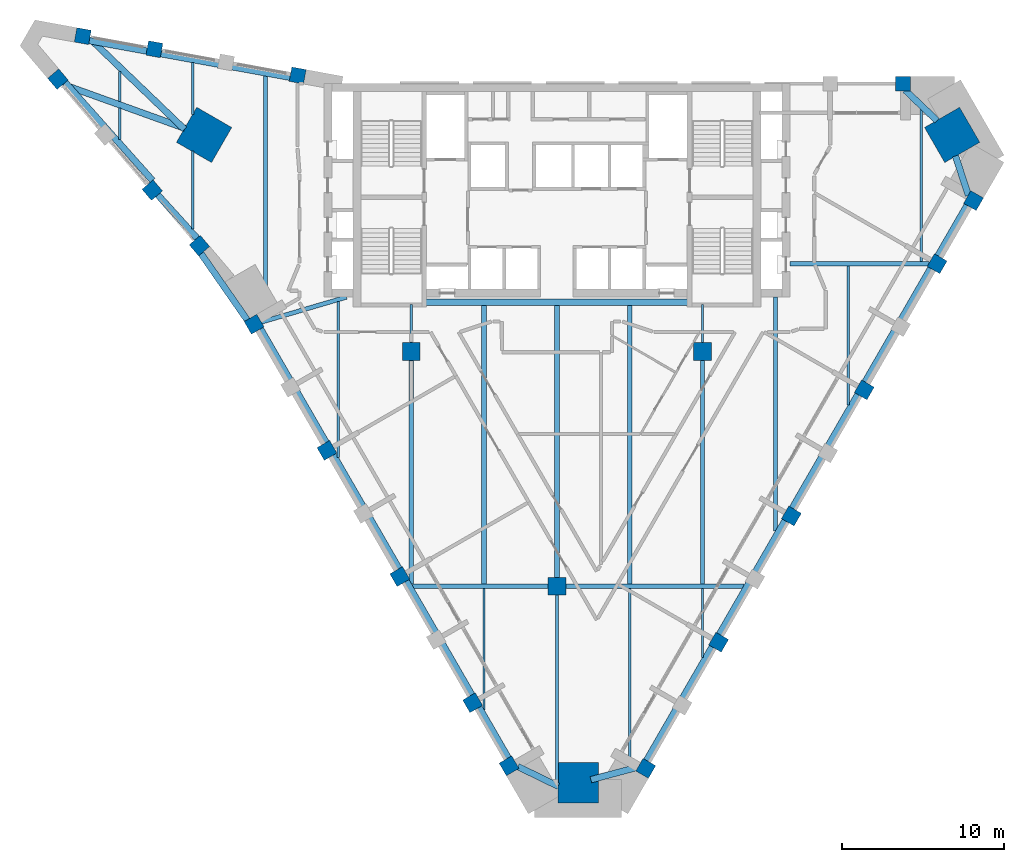
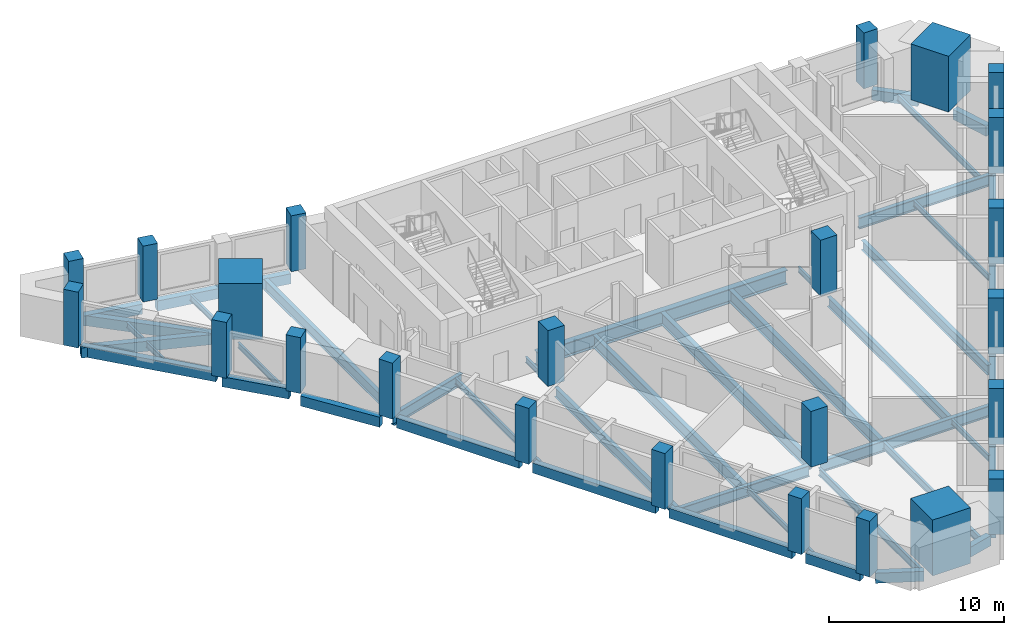
# One storey, part 1 of 9: 45 beams, 24 columns.
"""IFC4 building model written with IfcOpenShell, lengths in metres."""

from ifc_helpers import new_model, si_unit, direction, frame, origin, origin_2d, place, context, subcontext, project, spatial, rectangle, i_section, extrude, material, material_profile, profile_set, type_object, element, save


model = new_model("IFC4")

# Units and contexts
model_context = context("Model", 3, precision=1e-05, world=origin(), true_north=direction((0.0, 1.0)))
body_context = subcontext(model_context, "Body", "Model", "MODEL_VIEW")
ifc_project = project(units=[si_unit("LENGTHUNIT", "METRE"), si_unit("AREAUNIT", "SQUARE_METRE"), si_unit("VOLUMEUNIT", "CUBIC_METRE"), si_unit("PLANEANGLEUNIT", "RADIAN"), si_unit("MASSUNIT", "GRAM", prefix="KILO")], contexts=[model_context])

# Site, building, storey
site_placement = place(None, origin())
site = spatial("IfcSite", under=ifc_project, at=site_placement, CompositionType="ELEMENT")
building_placement = place(site_placement, origin())
building = spatial("IfcBuilding", under=site, at=building_placement, Name="Calabash Gate Tower", CompositionType="ELEMENT")
storey_placement = place(building_placement, frame((0.0, 0.0, 200.300048828125)))
storey = spatial("IfcBuildingStorey", under=building, at=storey_placement, Name="L47", CompositionType="ELEMENT", Elevation=200.300048828125)

# Columns
ifc_material_1 = material(Name="Concrete C60/75", Category="concrete")
ifc_material_profile_1 = material_profile(ifc_material_1, rectangle(XDim=1.10009765625, YDim=1.10009765625, at=origin_2d()))
ifc_profile_set_1 = profile_set([ifc_material_profile_1], Name="Concrete C60/75")
column_type_1 = type_object("IfcColumnType", Name="Interior column RC 1100x1100 Concrete C60/75", PredefinedType="COLUMN", material=ifc_profile_set_1)
for number, where, z_axis, x_axis, name in (
    (1, (-9.0, 2.5, 0.0), (0.0, 0.0, 1.0), (1.0, 0.0, 0.0), "Interior column L47 I0"),
    (2, (9.0, 2.5, 0.0), (0.0, 0.0, 1.0), (1.0, 0.0, 0.0), "Interior column L47 I1"),
    (3, (0.0, -12.0, 0.0), (0.0, 0.0, 1.0), (1.0, 0.0, 0.0), "Interior column L47 I2"),
):
    element("IfcColumn", number, at=place(storey_placement, frame(where, z_axis=z_axis, x_axis=x_axis)), inside=storey, type_object=column_type_1, Name=name, PredefinedType="COLUMN", context=body_context, shape_type="SweptSolid", body=[
        extrude(rectangle(XDim=1.10009765625, YDim=1.10009765625, at=origin_2d()), origin(), (0.0, 0.0, 1.0), 3.89990234375),
    ])
ifc_material_2 = material(Name="Concrete C70/85", Category="concrete")
ifc_material_profile_2 = material_profile(ifc_material_2, rectangle(XDim=2.5, YDim=2.5, at=origin_2d()))
ifc_profile_set_2 = profile_set([ifc_material_profile_2], Name="Concrete C70/85")
column_type_2 = type_object("IfcColumnType", Name="Mega column RC 2500x2500 Concrete C70/85", PredefinedType="COLUMN", material=ifc_profile_set_2)
for number, where, z_axis, x_axis, name in (
    (4, (-21.7958984375, 15.8798828125, 0.0), (0.0, 0.0, 1.0), (0.866025377604, -0.500000045345, 0.0), "Mega column L47 NW"),
    (5, (24.4169921875, 15.8798828125, 0.0), (0.0, 0.0, 1.0), (-0.866025377604, -0.500000045345, 0.0), "Mega column L47 NE"),
    (6, (1.31005859375, -24.14208984375, 0.0), (0.0, 0.0, 1.0), (0.0, 1.0, 0.0), "Mega column L47 S"),
):
    element("IfcColumn", number, at=place(storey_placement, frame(where, z_axis=z_axis, x_axis=x_axis)), inside=storey, type_object=column_type_2, Name=name, PredefinedType="COLUMN", context=body_context, shape_type="SweptSolid", body=[
        extrude(rectangle(XDim=2.5, YDim=2.5, at=origin_2d()), origin(), (0.0, 0.0, 1.0), 3.89990234375),
    ])
ifc_material_3 = material(Name="Concrete C60/75", Category="concrete")
ifc_material_profile_3 = material_profile(ifc_material_3, rectangle(XDim=0.89990234375, YDim=0.89990234375, at=origin_2d()))
ifc_profile_set_3 = profile_set([ifc_material_profile_3], Name="Concrete C60/75")
column_type_3 = type_object("IfcColumnType", Name="Perimeter column RC 900x900 Concrete C60/75", PredefinedType="COLUMN", material=ifc_profile_set_3)
for number, where, z_axis, x_axis, name in (
    (7, (-18.70703125, 4.18408203125, 0.0), (0.0, 0.0, 1.0), (0.5, -0.866025403784, 0.0), "Perimeter column L47 P00"),
    (8, (-14.20703125, -3.610107421875, 0.0), (0.0, 0.0, 1.0), (0.5, -0.866025403784, 0.0), "Perimeter column L47 P01"),
    (9, (-9.70703125, -11.404052734375, 0.0), (0.0, 0.0, 1.0), (0.5, -0.866025403784, 0.0), "Perimeter column L47 P02"),
    (10, (-5.20703125, -19.198974609375, 0.0), (0.0, 0.0, 1.0), (0.5, -0.866025403784, 0.0), "Perimeter column L47 P03"),
    (11, (-2.95703125, -23.095947265625, 0.0), (0.0, 0.0, 1.0), (0.5, -0.866025403784, 0.0), "Perimeter column L47 P25"),
    (12, (5.486083984375, -23.25390625, 0.0), (0.0, 0.0, 1.0), (0.5, 0.866025403784, 0.0), "Perimeter column L47 P08"),
    (13, (9.986083984375, -15.4599609375, 0.0), (0.0, 0.0, 1.0), (0.5, 0.866025403784, 0.0), "Perimeter column L47 P09"),
    (14, (14.486083984375, -7.6630859375, 0.0), (0.0, 0.0, 1.0), (0.5, 0.866025403784, 0.0), "Perimeter column L47 P10"),
    (15, (18.986083984375, 0.12890625, 0.0), (0.0, 0.0, 1.0), (0.5, 0.866025403784, 0.0), "Perimeter column L47 P11"),
    (16, (23.486083984375, 7.923095703125, 0.0), (0.0, 0.0, 1.0), (0.5, 0.866025403784, 0.0), "Perimeter column L47 P12"),
    (17, (25.736083984375, 11.820068359375, 0.0), (0.0, 0.0, 1.0), (0.5, 0.866025403784, 0.0), "Perimeter column L47 P13"),
    (18, (21.3779296875, 19.052978515625, 0.0), (0.0, 0.0, 1.0), (-1.0, 0.0, 0.0), "Perimeter column L47 P24"),
    (19, (-16.012939453125, 19.551025390625, 0.0), (0.0, 0.0, 1.0), (-0.983669930074, 0.179981856499, 0.0), "Perimeter column L47 P31"),
    (20, (-24.865966796875, 21.1708984375, 0.0), (0.0, 0.0, 1.0), (-0.983669930074, 0.179981856499, 0.0), "Perimeter column L47 P32"),
    (21, (-29.29296875, 21.97998046875, 0.0), (0.0, 0.0, 1.0), (-0.983669930074, 0.179981856499, 0.0), "Perimeter column L47 P33"),
    (22, (-30.827880859375, 19.322021484375, 0.0), (0.0, 0.0, 1.0), (0.647703824985, -0.761892220133, 0.0), "Perimeter column L47 P34"),
    (23, (-24.998046875, 12.467041015625, 0.0), (0.0, 0.0, 1.0), (0.647703824985, -0.761892220133, 0.0), "Perimeter column L47 P20"),
    (24, (-22.083984375, 9.037109375, 0.0), (0.0, 0.0, 1.0), (0.647703824985, -0.761892220133, 0.0), "Perimeter column L47 P35"),
):
    element("IfcColumn", number, at=place(storey_placement, frame(where, z_axis=z_axis, x_axis=x_axis)), inside=storey, type_object=column_type_3, Name=name, PredefinedType="COLUMN", context=body_context, shape_type="SweptSolid", body=[
        extrude(rectangle(XDim=0.89990234375, YDim=0.89990234375, at=origin_2d()), origin(), (0.0, 0.0, 1.0), 3.89990234375),
    ])

# Beams
ifc_material_4 = material(Name="Concrete C50/60", Category="concrete")
ifc_material_profile_4 = material_profile(ifc_material_4, rectangle(XDim=0.39990234375, YDim=0.699951171875, at=origin_2d()))
ifc_profile_set_4 = profile_set([ifc_material_profile_4], Name="Concrete C50/60")
beam_type_1 = type_object("IfcBeamType", Name="Edge beam RC 400x700 Concrete C50/60", PredefinedType="BEAM", material=ifc_profile_set_4)
beam_1_placement = place(storey_placement, frame((-13.80810546875, -3.89990234375, -0.52001953125), z_axis=(0.500091252813, -0.865972712538, 0.0), x_axis=(0.865972712538, 0.500091252813, 0.0)))
element("IfcBeam", 25, at=beam_1_placement, inside=storey, type_object=beam_type_1, Name="Edge beam L47 1", PredefinedType="BEAM", context=body_context, shape_type="SweptSolid", body=[
    extrude(rectangle(XDim=0.39990234375, YDim=0.699951171875, at=origin_2d()), origin(), (0.0, 0.0, 1.0), 8.0986328125),
])
beam_2_placement = place(storey_placement, frame((-9.30810546875, -11.694091796875, -0.52001953125), z_axis=(0.499999880539, -0.866025472755, 0.0), x_axis=(0.866025472755, 0.499999880539, 0.0)))
element("IfcBeam", 26, at=beam_2_placement, inside=storey, type_object=beam_type_1, Name="Edge beam L47 2", PredefinedType="BEAM", context=body_context, shape_type="SweptSolid", body=[
    extrude(rectangle(XDim=0.39990234375, YDim=0.699951171875, at=origin_2d()), origin(), (0.0, 0.0, 1.0), 8.10009765625),
])
beam_3_placement = place(storey_placement, frame((-4.80810546875, -19.488037109375, -0.52001953125), z_axis=(0.499982693035, -0.866035395735, 0.0), x_axis=(0.866035395735, 0.499982693035, 0.0)))
element("IfcBeam", 27, at=beam_3_placement, inside=storey, type_object=beam_type_1, Name="Edge beam L47 3", PredefinedType="BEAM", context=body_context, shape_type="SweptSolid", body=[
    extrude(rectangle(XDim=0.39990234375, YDim=0.699951171875, at=origin_2d()), origin(), (0.0, 0.0, 1.0), 3.600341796875),
])
beam_4_placement = place(storey_placement, frame((-2.4189453125, -23.139892578125, -0.52001953125), z_axis=(0.898841827038, -0.438273168203, 0.0), x_axis=(0.438273168203, 0.898841827038, 0.0)))
element("IfcBeam", 28, at=beam_4_placement, inside=storey, type_object=beam_type_1, Name="Edge beam L47 4", PredefinedType="BEAM", context=body_context, shape_type="SweptSolid", body=[
    extrude(rectangle(XDim=0.39990234375, YDim=0.699951171875, at=origin_2d()), origin(), (0.0, 0.0, 1.0), 2.78125),
])
beam_5_placement = place(storey_placement, frame((2.096923828125, -23.9560546875, -0.52001953125), z_axis=(0.965834015077, 0.25916144644, 0.0), x_axis=(-0.25916144644, 0.965834015077, 0.0)))
element("IfcBeam", 29, at=beam_5_placement, inside=storey, type_object=beam_type_1, Name="Edge beam L47 5", PredefinedType="BEAM", context=body_context, shape_type="SweptSolid", body=[
    extrude(rectangle(XDim=0.39990234375, YDim=0.699951171875, at=origin_2d()), origin(), (0.0, 0.0, 1.0), 3.041015625),
])
beam_6_placement = place(storey_placement, frame((5.5380859375, -22.763916015625, -0.52001953125), z_axis=(0.499977274689, 0.866038523851, 0.0), x_axis=(-0.866038523851, 0.499977274689, 0.0)))
element("IfcBeam", 30, at=beam_6_placement, inside=storey, type_object=beam_type_1, Name="Edge beam L47 6", PredefinedType="BEAM", context=body_context, shape_type="SweptSolid", body=[
    extrude(rectangle(XDim=0.39990234375, YDim=0.699951171875, at=origin_2d()), origin(), (0.0, 0.0, 1.0), 8.10009765625),
])
beam_7_placement = place(storey_placement, frame((10.0380859375, -14.969970703125, -0.52001953125), z_axis=(0.499859838702, 0.866106310826, 0.0), x_axis=(-0.866106310826, 0.499859838702, 0.0)))
element("IfcBeam", 31, at=beam_7_placement, inside=storey, type_object=beam_type_1, Name="Edge beam L47 7", PredefinedType="BEAM", context=body_context, shape_type="SweptSolid", body=[
    extrude(rectangle(XDim=0.39990234375, YDim=0.699951171875, at=origin_2d()), origin(), (0.0, 0.0, 1.0), 8.101806640625),
])
beam_8_placement = place(storey_placement, frame((14.5380859375, -7.176025390625, -0.52001953125), z_axis=(0.499964223975, 0.866046058097, 0.0), x_axis=(-0.866046058097, 0.499964223975, 0.0)))
element("IfcBeam", 32, at=beam_8_placement, inside=storey, type_object=beam_type_1, Name="Edge beam L47 8", PredefinedType="BEAM", context=body_context, shape_type="SweptSolid", body=[
    extrude(rectangle(XDim=0.39990234375, YDim=0.699951171875, at=origin_2d()), origin(), (0.0, 0.0, 1.0), 8.10009765625),
])
beam_9_placement = place(storey_placement, frame((19.0380859375, 0.618896484375, -0.52001953125), z_axis=(0.500016430238, 0.866015917575, 0.0), x_axis=(-0.866015917575, 0.500016430238, 0.0)))
element("IfcBeam", 33, at=beam_9_placement, inside=storey, type_object=beam_type_1, Name="Edge beam L47 9", PredefinedType="BEAM", context=body_context, shape_type="SweptSolid", body=[
    extrude(rectangle(XDim=0.39990234375, YDim=0.699951171875, at=origin_2d()), origin(), (0.0, 0.0, 1.0), 8.099365234375),
])
beam_10_placement = place(storey_placement, frame((23.5380859375, 8.4130859375, -0.52001953125), z_axis=(0.500049301049, 0.86599693794, 0.0), x_axis=(-0.86599693794, 0.500049301049, 0.0)))
element("IfcBeam", 34, at=beam_10_placement, inside=storey, type_object=beam_type_1, Name="Edge beam L47 10", PredefinedType="BEAM", context=body_context, shape_type="SweptSolid", body=[
    extrude(rectangle(XDim=0.39990234375, YDim=0.699951171875, at=origin_2d()), origin(), (0.0, 0.0, 1.0), 3.599365234375),
])
beam_11_placement = place(storey_placement, frame((25.419921875, 12.14111328125, -0.52001953125), z_axis=(-0.310682629093, 0.950513705309, 0.0), x_axis=(-0.950513705309, -0.310682629093, 0.0)))
element("IfcBeam", 35, at=beam_11_placement, inside=storey, type_object=beam_type_1, Name="Edge beam L47 11", PredefinedType="BEAM", context=body_context, shape_type="SweptSolid", body=[
    extrude(rectangle(XDim=0.39990234375, YDim=0.699951171875, at=origin_2d()), origin(), (0.0, 0.0, 1.0), 2.56494140625),
])
beam_12_placement = place(storey_placement, frame((23.488037109375, 16.75390625, -0.52001953125), z_axis=(-0.722273899938, 0.691607123639, 0.0), x_axis=(-0.691607123639, -0.722273899938, 0.0)))
element("IfcBeam", 36, at=beam_12_placement, inside=storey, type_object=beam_type_1, Name="Edge beam L47 12", PredefinedType="BEAM", context=body_context, shape_type="SweptSolid", body=[
    extrude(rectangle(XDim=0.39990234375, YDim=0.699951171875, at=origin_2d()), origin(), (0.0, 0.0, 1.0), 2.738525390625),
])
beam_13_placement = place(storey_placement, frame((-16.491943359375, 19.43701171875, -0.52001953125), z_axis=(-0.983710376503, 0.179760660767, 0.0), x_axis=(-0.179760660767, -0.983710376503, 0.0)))
element("IfcBeam", 37, at=beam_13_placement, inside=storey, type_object=beam_type_1, Name="Edge beam L47 13", PredefinedType="BEAM", context=body_context, shape_type="SweptSolid", body=[
    extrude(rectangle(XDim=0.39990234375, YDim=0.699951171875, at=origin_2d()), origin(), (0.0, 0.0, 1.0), 8.099853515625),
])
beam_14_placement = place(storey_placement, frame((-25.343017578125, 21.056884765625, -0.52001953125), z_axis=(-0.983780846892, 0.179374594879, 0.0), x_axis=(-0.179374594879, -0.983780846892, 0.0)))
element("IfcBeam", 38, at=beam_14_placement, inside=storey, type_object=beam_type_1, Name="Edge beam L47 14", PredefinedType="BEAM", context=body_context, shape_type="SweptSolid", body=[
    extrude(rectangle(XDim=0.39990234375, YDim=0.699951171875, at=origin_2d()), origin(), (0.0, 0.0, 1.0), 3.601318359375),
])
beam_15_placement = place(storey_placement, frame((-28.8701171875, 21.85009765625, -0.52001953125), z_axis=(0.721557989664, -0.692354004504, 0.0), x_axis=(0.692354004504, 0.721557989664, 0.0)))
element("IfcBeam", 39, at=beam_15_placement, inside=storey, type_object=beam_type_1, Name="Edge beam L47 15", PredefinedType="BEAM", context=body_context, shape_type="SweptSolid", body=[
    extrude(rectangle(XDim=0.39990234375, YDim=0.699951171875, at=origin_2d()), origin(), (0.0, 0.0, 1.0), 8.117431640625),
])
beam_16_placement = place(storey_placement, frame((-22.98193359375, 16.287109375, -0.52001953125), z_axis=(-0.940926223846, 0.338611637837, 0.0), x_axis=(-0.338611637837, -0.940926223846, 0.0)))
element("IfcBeam", 40, at=beam_16_placement, inside=storey, type_object=beam_type_1, Name="Edge beam L47 16", PredefinedType="BEAM", context=body_context, shape_type="SweptSolid", body=[
    extrude(rectangle(XDim=0.39990234375, YDim=0.699951171875, at=origin_2d()), origin(), (0.0, 0.0, 1.0), 8.017578125),
])
beam_17_placement = place(storey_placement, frame((-30.389892578125, 19.132080078125, -0.52001953125), z_axis=(0.665233110043, -0.746635727315, 0.0), x_axis=(0.746635727315, 0.665233110043, 0.0)))
element("IfcBeam", 41, at=beam_17_placement, inside=storey, type_object=beam_type_1, Name="Edge beam L47 17", PredefinedType="BEAM", context=body_context, shape_type="SweptSolid", body=[
    extrude(rectangle(XDim=0.39990234375, YDim=0.699951171875, at=origin_2d()), origin(), (0.0, 0.0, 1.0), 8.13671875),
])
beam_18_placement = place(storey_placement, frame((-24.910888671875, 12.449951171875, -0.52001953125), z_axis=(0.672053664313, -0.740502445832, 0.0), x_axis=(0.740502445832, 0.672053664313, 0.0)))
element("IfcBeam", 42, at=beam_18_placement, inside=storey, type_object=beam_type_1, Name="Edge beam L47 18", PredefinedType="BEAM", context=body_context, shape_type="SweptSolid", body=[
    extrude(rectangle(XDim=0.39990234375, YDim=0.699951171875, at=origin_2d()), origin(), (0.0, 0.0, 1.0), 4.00537109375),
])
beam_19_placement = place(storey_placement, frame((-21.98291015625, 8.5458984375, -0.52001953125), z_axis=(0.570816289465, -0.821077806107, 0.0), x_axis=(0.821077806107, 0.570816289465, 0.0)))
element("IfcBeam", 43, at=beam_19_placement, inside=storey, type_object=beam_type_1, Name="Edge beam L47 19", PredefinedType="BEAM", context=body_context, shape_type="SweptSolid", body=[
    extrude(rectangle(XDim=0.39990234375, YDim=0.699951171875, at=origin_2d()), origin(), (0.0, 0.0, 1.0), 5.015380859375),
])
beam_20_placement = place(storey_placement, frame((-18.30810546875, 3.89404296875, -0.52001953125), z_axis=(0.500039036678, -0.866002864775, 0.0), x_axis=(0.866002864775, 0.500039036678, 0.0)))
element("IfcBeam", 44, at=beam_20_placement, inside=storey, type_object=beam_type_1, Name="Edge beam L47 20", PredefinedType="BEAM", context=body_context, shape_type="SweptSolid", body=[
    extrude(rectangle(XDim=0.39990234375, YDim=0.699951171875, at=origin_2d()), origin(), (0.0, 0.0, 1.0), 8.099365234375),
])
ifc_material_5 = material(Name="Steel ASTM A992 Gr50", Category="steel")
ifc_material_profile_5 = material_profile(ifc_material_5, i_section(OverallWidth=0.1396484375, OverallDepth=0.398681640625, WebThickness=0.00634765625, FlangeThickness=0.0087890625, FilletRadius=0.01025390625, at=origin_2d()))
ifc_profile_set_5 = profile_set([ifc_material_profile_5], Name="Steel ASTM A992 Gr50")
beam_type_2 = type_object("IfcBeamType", Name="Floor beam W16x26 ASTM A992 Gr50", PredefinedType="BEAM", material=ifc_profile_set_5)
beam_21_placement = place(storey_placement, frame((-27.0, 15.595947265625, -0.369140625), z_axis=(0.0, 1.0, 0.0), x_axis=(-1.0, 0.0, 0.0)))
element("IfcBeam", 45, at=beam_21_placement, inside=storey, type_object=beam_type_2, Name="Floor beam L47 1", PredefinedType="BEAM", context=body_context, shape_type="SweptSolid", body=[
    extrude(i_section(OverallWidth=0.1396484375, OverallDepth=0.398681640625, WebThickness=0.00634765625, FlangeThickness=0.0087890625, FilletRadius=0.01025390625, at=origin_2d()), origin(), (0.0, 0.0, 1.0), 1.9560546875),
])
beam_22_placement = place(storey_placement, frame((-27.0, 17.93310546875, -0.369140625), z_axis=(0.0, 1.0, 0.0), x_axis=(-1.0, 0.0, 0.0)))
element("IfcBeam", 46, at=beam_22_placement, inside=storey, type_object=beam_type_2, Name="Floor beam L47 2", PredefinedType="BEAM", context=body_context, shape_type="SweptSolid", body=[
    extrude(i_section(OverallWidth=0.1396484375, OverallDepth=0.398681640625, WebThickness=0.00634765625, FlangeThickness=0.0087890625, FilletRadius=0.01025390625, at=origin_2d()), origin(), (0.0, 0.0, 1.0), 1.866943359375),
])
beam_23_placement = place(storey_placement, frame((-22.5, 10.06201171875, -0.369140625), z_axis=(0.0, 1.0, 0.0), x_axis=(-1.0, 0.0, 0.0)))
element("IfcBeam", 47, at=beam_23_placement, inside=storey, type_object=beam_type_2, Name="Floor beam L47 3", PredefinedType="BEAM", context=body_context, shape_type="SweptSolid", body=[
    extrude(i_section(OverallWidth=0.1396484375, OverallDepth=0.398681640625, WebThickness=0.00634765625, FlangeThickness=0.0087890625, FilletRadius=0.01025390625, at=origin_2d()), origin(), (0.0, 0.0, 1.0), 4.81103515625),
])
beam_24_placement = place(storey_placement, frame((-22.5, 17.132080078125, -0.369140625), z_axis=(0.0, 1.0, 0.0), x_axis=(-1.0, 0.0, 0.0)))
element("IfcBeam", 48, at=beam_24_placement, inside=storey, type_object=beam_type_2, Name="Floor beam L47 4", PredefinedType="BEAM", context=body_context, shape_type="SweptSolid", body=[
    extrude(i_section(OverallWidth=0.1396484375, OverallDepth=0.398681640625, WebThickness=0.00634765625, FlangeThickness=0.0087890625, FilletRadius=0.01025390625, at=origin_2d()), origin(), (0.0, 0.0, 1.0), 3.23095703125),
])
beam_25_placement = place(storey_placement, frame((-9.0, 3.050048828125, -0.369140625), z_axis=(0.0, 1.0, 0.0), x_axis=(-1.0, 0.0, 0.0)))
element("IfcBeam", 49, at=beam_25_placement, inside=storey, type_object=beam_type_2, Name="Floor beam L47 8", PredefinedType="BEAM", context=body_context, shape_type="SweptSolid", body=[
    extrude(i_section(OverallWidth=0.1396484375, OverallDepth=0.398681640625, WebThickness=0.00634765625, FlangeThickness=0.0087890625, FilletRadius=0.01025390625, at=origin_2d()), origin(), (0.0, 0.0, 1.0), 2.35302734375),
])
beam_26_placement = place(storey_placement, frame((-4.5, -19.654052734375, -0.369140625), z_axis=(0.0, 1.0, 0.0), x_axis=(-1.0, 0.0, 0.0)))
element("IfcBeam", 50, at=beam_26_placement, inside=storey, type_object=beam_type_2, Name="Floor beam L47 9", PredefinedType="BEAM", context=body_context, shape_type="SweptSolid", body=[
    extrude(i_section(OverallWidth=0.1396484375, OverallDepth=0.398681640625, WebThickness=0.00634765625, FlangeThickness=0.0087890625, FilletRadius=0.01025390625, at=origin_2d()), origin(), (0.0, 0.0, 1.0), 7.52099609375),
])
beam_27_placement = place(storey_placement, frame((9.0, -16.39892578125, -0.369140625), z_axis=(0.0, 1.0, 0.0), x_axis=(-1.0, 0.0, 0.0)))
element("IfcBeam", 51, at=beam_27_placement, inside=storey, type_object=beam_type_2, Name="Floor beam L47 15", PredefinedType="BEAM", context=body_context, shape_type="SweptSolid", body=[
    extrude(i_section(OverallWidth=0.1396484375, OverallDepth=0.398681640625, WebThickness=0.00634765625, FlangeThickness=0.0087890625, FilletRadius=0.01025390625, at=origin_2d()), origin(), (0.0, 0.0, 1.0), 4.265869140625),
])
beam_28_placement = place(storey_placement, frame((9.0, 3.050048828125, -0.369140625), z_axis=(0.0, 1.0, 0.0), x_axis=(-1.0, 0.0, 0.0)))
element("IfcBeam", 52, at=beam_28_placement, inside=storey, type_object=beam_type_2, Name="Floor beam L47 17", PredefinedType="BEAM", context=body_context, shape_type="SweptSolid", body=[
    extrude(i_section(OverallWidth=0.1396484375, OverallDepth=0.398681640625, WebThickness=0.00634765625, FlangeThickness=0.0087890625, FilletRadius=0.01025390625, at=origin_2d()), origin(), (0.0, 0.0, 1.0), 2.35302734375),
])
beam_29_placement = place(storey_placement, frame((18.0, -0.81103515625, -0.369140625), z_axis=(0.0, 1.0, 0.0), x_axis=(-1.0, 0.0, 0.0)))
element("IfcBeam", 53, at=beam_29_placement, inside=storey, type_object=beam_type_2, Name="Floor beam L47 19", PredefinedType="BEAM", context=body_context, shape_type="SweptSolid", body=[
    extrude(i_section(OverallWidth=0.1396484375, OverallDepth=0.398681640625, WebThickness=0.00634765625, FlangeThickness=0.0087890625, FilletRadius=0.01025390625, at=origin_2d()), origin(), (0.0, 0.0, 1.0), 8.60107421875),
])
ifc_material_6 = material(Name="Steel ASTM A992 Gr50", Category="steel")
ifc_material_profile_6 = material_profile(ifc_material_6, i_section(OverallWidth=0.15234375, OverallDepth=0.44970703125, WebThickness=0.007568359375, FlangeThickness=0.0107421875, FilletRadius=0.01025390625, at=origin_2d()))
ifc_profile_set_6 = profile_set([ifc_material_profile_6], Name="Steel ASTM A992 Gr50")
beam_type_3 = type_object("IfcBeamType", Name="Floor beam W18x35 ASTM A992 Gr50", PredefinedType="BEAM", material=ifc_profile_set_6)
beam_30_placement = place(storey_placement, frame((-13.5, -4.0458984375, -0.39306640625), z_axis=(0.0, 1.0, 0.0), x_axis=(-1.0, 0.0, 0.0)))
element("IfcBeam", 54, at=beam_30_placement, inside=storey, type_object=beam_type_3, Name="Floor beam L47 6", PredefinedType="BEAM", context=body_context, shape_type="SweptSolid", body=[
    extrude(i_section(OverallWidth=0.15234375, OverallDepth=0.44970703125, WebThickness=0.007568359375, FlangeThickness=0.0107421875, FilletRadius=0.01025390625, at=origin_2d()), origin(), (0.0, 0.0, 1.0), 9.642822265625),
])
beam_31_placement = place(storey_placement, frame((22.5, 8.055908203125, -0.39306640625), z_axis=(0.0, 1.0, 0.0), x_axis=(-1.0, 0.0, 0.0)))
element("IfcBeam", 55, at=beam_31_placement, inside=storey, type_object=beam_type_3, Name="Floor beam L47 20", PredefinedType="BEAM", context=body_context, shape_type="SweptSolid", body=[
    extrude(i_section(OverallWidth=0.15234375, OverallDepth=0.44970703125, WebThickness=0.007568359375, FlangeThickness=0.0107421875, FilletRadius=0.01025390625, at=origin_2d()), origin(), (0.0, 0.0, 1.0), 9.385986328125),
])
ifc_material_7 = material(Name="Steel ASTM A992 Gr50", Category="steel")
ifc_material_profile_7 = material_profile(ifc_material_7, i_section(OverallWidth=0.166015625, OverallDepth=0.5283203125, WebThickness=0.009765625, FlangeThickness=0.013671875, FilletRadius=0.0126953125, at=origin_2d()))
ifc_profile_set_7 = profile_set([ifc_material_profile_7], Name="Steel ASTM A992 Gr50")
beam_type_4 = type_object("IfcBeamType", Name="Floor beam W21x50 ASTM A992 Gr50", PredefinedType="BEAM", material=ifc_profile_set_7)
beam_32_placement = place(storey_placement, frame((0.0, -24.117919921875, -0.43408203125), z_axis=(0.0, 1.0, 0.0), x_axis=(-1.0, 0.0, 0.0)))
element("IfcBeam", 56, at=beam_32_placement, inside=storey, type_object=beam_type_4, Name="Floor beam L47 11", PredefinedType="BEAM", context=body_context, shape_type="SweptSolid", body=[
    extrude(i_section(OverallWidth=0.166015625, OverallDepth=0.5283203125, WebThickness=0.009765625, FlangeThickness=0.013671875, FilletRadius=0.0126953125, at=origin_2d()), origin(), (0.0, 0.0, 1.0), 11.56787109375),
])
beam_33_placement = place(storey_placement, frame((4.5, -23.1259765625, -0.43408203125), z_axis=(0.0, 1.0, 0.0), x_axis=(-1.0, 0.0, 0.0)))
element("IfcBeam", 57, at=beam_33_placement, inside=storey, type_object=beam_type_4, Name="Floor beam L47 13", PredefinedType="BEAM", context=body_context, shape_type="SweptSolid", body=[
    extrude(i_section(OverallWidth=0.166015625, OverallDepth=0.5283203125, WebThickness=0.009765625, FlangeThickness=0.013671875, FilletRadius=0.0126953125, at=origin_2d()), origin(), (0.0, 0.0, 1.0), 10.992919921875),
])
ifc_material_8 = material(Name="Steel ASTM A992 Gr50", Category="steel")
ifc_material_profile_8 = material_profile(ifc_material_8, i_section(OverallWidth=0.25390625, OverallDepth=0.67822265625, WebThickness=0.01171875, FlangeThickness=0.016357421875, FilletRadius=0.01513671875, at=origin_2d()))
ifc_profile_set_8 = profile_set([ifc_material_profile_8], Name="Steel ASTM A992 Gr50")
beam_type_5 = type_object("IfcBeamType", Name="Floor beam W27x84 ASTM A992 Gr50", PredefinedType="BEAM", material=ifc_profile_set_8)
beam_34_placement = place(storey_placement, frame((-9.0, -11.860107421875, -0.509033203125), z_axis=(0.0, 1.0, 0.0), x_axis=(-1.0, 0.0, 0.0)))
element("IfcBeam", 58, at=beam_34_placement, inside=storey, type_object=beam_type_5, Name="Floor beam L47 7", PredefinedType="BEAM", context=body_context, shape_type="SweptSolid", body=[
    extrude(i_section(OverallWidth=0.25390625, OverallDepth=0.67822265625, WebThickness=0.01171875, FlangeThickness=0.016357421875, FilletRadius=0.01513671875, at=origin_2d()), origin(), (0.0, 0.0, 1.0), 13.81005859375),
])
beam_35_placement = place(storey_placement, frame((9.0, -11.866943359375, -0.509033203125), z_axis=(0.0, 1.0, 0.0), x_axis=(-1.0, 0.0, 0.0)))
element("IfcBeam", 59, at=beam_35_placement, inside=storey, type_object=beam_type_5, Name="Floor beam L47 16", PredefinedType="BEAM", context=body_context, shape_type="SweptSolid", body=[
    extrude(i_section(OverallWidth=0.25390625, OverallDepth=0.67822265625, WebThickness=0.01171875, FlangeThickness=0.016357421875, FilletRadius=0.01513671875, at=origin_2d()), origin(), (0.0, 0.0, 1.0), 13.81689453125),
])
beam_36_placement = place(storey_placement, frame((13.5, -8.5830078125, -0.509033203125), z_axis=(0.0, 1.0, 0.0), x_axis=(-1.0, 0.0, 0.0)))
element("IfcBeam", 60, at=beam_36_placement, inside=storey, type_object=beam_type_5, Name="Floor beam L47 18", PredefinedType="BEAM", context=body_context, shape_type="SweptSolid", body=[
    extrude(i_section(OverallWidth=0.25390625, OverallDepth=0.67822265625, WebThickness=0.01171875, FlangeThickness=0.016357421875, FilletRadius=0.01513671875, at=origin_2d()), origin(), (0.0, 0.0, 1.0), 14.43603515625),
])
ifc_material_9 = material(Name="Steel ASTM A992 Gr50", Category="steel")
ifc_material_profile_9 = material_profile(ifc_material_9, i_section(OverallWidth=0.2666015625, OverallDepth=0.7568359375, WebThickness=0.013916015625, FlangeThickness=0.019287109375, FilletRadius=0.0166015625, at=origin_2d()))
ifc_profile_set_9 = profile_set([ifc_material_profile_9], Name="Steel ASTM A992 Gr50")
beam_type_6 = type_object("IfcBeamType", Name="Floor beam W30x108 ASTM A992 Gr50", PredefinedType="BEAM", material=ifc_profile_set_9)
beam_37_placement = place(storey_placement, frame((-18.0, 4.508056640625, -0.548095703125), z_axis=(0.0, 1.0, 0.0), x_axis=(-1.0, 0.0, 0.0)))
element("IfcBeam", 61, at=beam_37_placement, inside=storey, type_object=beam_type_6, Name="Floor beam L47 5", PredefinedType="BEAM", context=body_context, shape_type="SweptSolid", body=[
    extrude(i_section(OverallWidth=0.2666015625, OverallDepth=0.7568359375, WebThickness=0.013916015625, FlangeThickness=0.019287109375, FilletRadius=0.0166015625, at=origin_2d()), origin(), (0.0, 0.0, 1.0), 15.031982421875),
])
ifc_material_10 = material(Name="Steel ASTM A992 Gr50", Category="steel")
ifc_material_profile_10 = material_profile(ifc_material_10, i_section(OverallWidth=0.2919921875, OverallDepth=0.845703125, WebThickness=0.015380859375, FlangeThickness=0.0244140625, FilletRadius=0.017822265625, at=origin_2d()))
ifc_profile_set_10 = profile_set([ifc_material_profile_10], Name="Steel ASTM A992 Gr50")
beam_type_7 = type_object("IfcBeamType", Name="Floor beam W33x141 ASTM A992 Gr50", PredefinedType="BEAM", material=ifc_profile_set_10)
beam_38_placement = place(storey_placement, frame((-4.5, -11.866943359375, -0.593017578125), z_axis=(0.0, 1.0, 0.0), x_axis=(-1.0, 0.0, 0.0)))
element("IfcBeam", 62, at=beam_38_placement, inside=storey, type_object=beam_type_7, Name="Floor beam L47 10", PredefinedType="BEAM", context=body_context, shape_type="SweptSolid", body=[
    extrude(i_section(OverallWidth=0.2919921875, OverallDepth=0.845703125, WebThickness=0.015380859375, FlangeThickness=0.0244140625, FilletRadius=0.017822265625, at=origin_2d()), origin(), (0.0, 0.0, 1.0), 17.218994140625),
])
beam_39_placement = place(storey_placement, frame((0.0, -11.449951171875, -0.593017578125), z_axis=(0.0, 1.0, 0.0), x_axis=(-1.0, 0.0, 0.0)))
element("IfcBeam", 63, at=beam_39_placement, inside=storey, type_object=beam_type_7, Name="Floor beam L47 12", PredefinedType="BEAM", context=body_context, shape_type="SweptSolid", body=[
    extrude(i_section(OverallWidth=0.2919921875, OverallDepth=0.845703125, WebThickness=0.015380859375, FlangeThickness=0.0244140625, FilletRadius=0.017822265625, at=origin_2d()), origin(), (0.0, 0.0, 1.0), 16.802001953125),
])
beam_40_placement = place(storey_placement, frame((4.5, -11.866943359375, -0.593017578125), z_axis=(0.0, 1.0, 0.0), x_axis=(-1.0, 0.0, 0.0)))
element("IfcBeam", 64, at=beam_40_placement, inside=storey, type_object=beam_type_7, Name="Floor beam L47 14", PredefinedType="BEAM", context=body_context, shape_type="SweptSolid", body=[
    extrude(i_section(OverallWidth=0.2919921875, OverallDepth=0.845703125, WebThickness=0.015380859375, FlangeThickness=0.0244140625, FilletRadius=0.017822265625, at=origin_2d()), origin(), (0.0, 0.0, 1.0), 17.218994140625),
])
ifc_material_11 = material(Name="Steel ASTM A992 Gr50", Category="steel")
ifc_material_profile_11 = material_profile(ifc_material_11, i_section(OverallWidth=0.2666015625, OverallDepth=0.77978515625, WebThickness=0.0166015625, FlangeThickness=0.030029296875, FilletRadius=0.0166015625, at=origin_2d()))
ifc_profile_set_11 = profile_set([ifc_material_profile_11], Name="Steel ASTM A992 Gr50")
beam_type_8 = type_object("IfcBeamType", Name="Girder W30x148 ASTM A992 Gr50", PredefinedType="BEAM", material=ifc_profile_set_11)
beam_41_placement = place(storey_placement, frame((-18.4560546875, 4.258056640625, -0.56005859375), z_axis=(0.959536962642, 0.281582700682, 0.0), x_axis=(-0.281582700682, 0.959536962642, 0.0)))
element("IfcBeam", 65, at=beam_41_placement, inside=storey, type_object=beam_type_8, Name="Girder L47 2", PredefinedType="BEAM", context=body_context, shape_type="SweptSolid", body=[
    extrude(i_section(OverallWidth=0.2666015625, OverallDepth=0.77978515625, WebThickness=0.0166015625, FlangeThickness=0.030029296875, FilletRadius=0.0166015625, at=origin_2d()), origin(), (0.0, 0.0, 1.0), 5.68505859375),
])
beam_42_placement = place(storey_placement, frame((23.16796875, 7.923095703125, -0.56005859375), z_axis=(-1.0, 0.0, 0.0), x_axis=(0.0, -1.0, 0.0)))
element("IfcBeam", 66, at=beam_42_placement, inside=storey, type_object=beam_type_8, Name="Girder L47 3", PredefinedType="BEAM", context=body_context, shape_type="SweptSolid", body=[
    extrude(i_section(OverallWidth=0.2666015625, OverallDepth=0.77978515625, WebThickness=0.0166015625, FlangeThickness=0.030029296875, FilletRadius=0.0166015625, at=origin_2d()), origin(), (0.0, 0.0, 1.0), 8.76806640625),
])
beam_43_placement = place(storey_placement, frame((-8.93310546875, -12.0, -0.56005859375), z_axis=(1.0, 0.0, 0.0), x_axis=(0.0, 1.0, 0.0)))
element("IfcBeam", 67, at=beam_43_placement, inside=storey, type_object=beam_type_8, Name="Girder L47 4", PredefinedType="BEAM", context=body_context, shape_type="SweptSolid", body=[
    extrude(i_section(OverallWidth=0.2666015625, OverallDepth=0.77978515625, WebThickness=0.0166015625, FlangeThickness=0.030029296875, FilletRadius=0.0166015625, at=origin_2d()), origin(), (0.0, 0.0, 1.0), 8.56298828125),
])
beam_44_placement = place(storey_placement, frame((0.3701171875, -12.0, -0.56005859375), z_axis=(1.0, 0.0, 0.0), x_axis=(0.0, 1.0, 0.0)))
element("IfcBeam", 68, at=beam_44_placement, inside=storey, type_object=beam_type_8, Name="Girder L47 5", PredefinedType="BEAM", context=body_context, shape_type="SweptSolid", body=[
    extrude(i_section(OverallWidth=0.2666015625, OverallDepth=0.77978515625, WebThickness=0.0166015625, FlangeThickness=0.030029296875, FilletRadius=0.0166015625, at=origin_2d()), origin(), (0.0, 0.0, 1.0), 11.182861328125),
])
ifc_material_12 = material(Name="Steel ASTM A992 Gr50", Category="steel")
ifc_material_profile_12 = material_profile(ifc_material_12, i_section(OverallWidth=0.4013671875, OverallDepth=1.000732421875, WebThickness=0.01904296875, FlangeThickness=0.0361328125, FilletRadius=0.030029296875, at=origin_2d()))
ifc_profile_set_12 = profile_set([ifc_material_profile_12], Name="Steel ASTM A992 Gr50")
beam_type_9 = type_object("IfcBeamType", Name="Girder W40x249 ASTM A992 Gr50", PredefinedType="BEAM", material=ifc_profile_set_12)
beam_45_placement = place(storey_placement, frame((-8.25, 5.552978515625, -0.670166015625), z_axis=(1.0, 0.0, 0.0), x_axis=(0.0, 1.0, 0.0)))
element("IfcBeam", 69, at=beam_45_placement, inside=storey, type_object=beam_type_9, Name="Girder L47 1", PredefinedType="BEAM", context=body_context, shape_type="SweptSolid", body=[
    extrude(i_section(OverallWidth=0.4013671875, OverallDepth=1.000732421875, WebThickness=0.01904296875, FlangeThickness=0.0361328125, FilletRadius=0.030029296875, at=origin_2d()), origin(), (0.0, 0.0, 1.0), 16.5),
])

save(model, "model.ifc")
